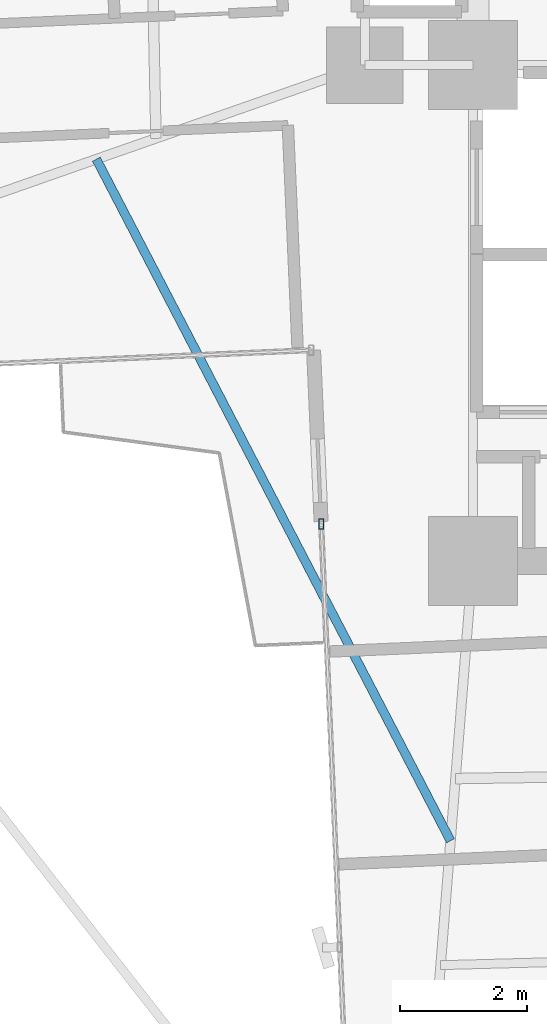
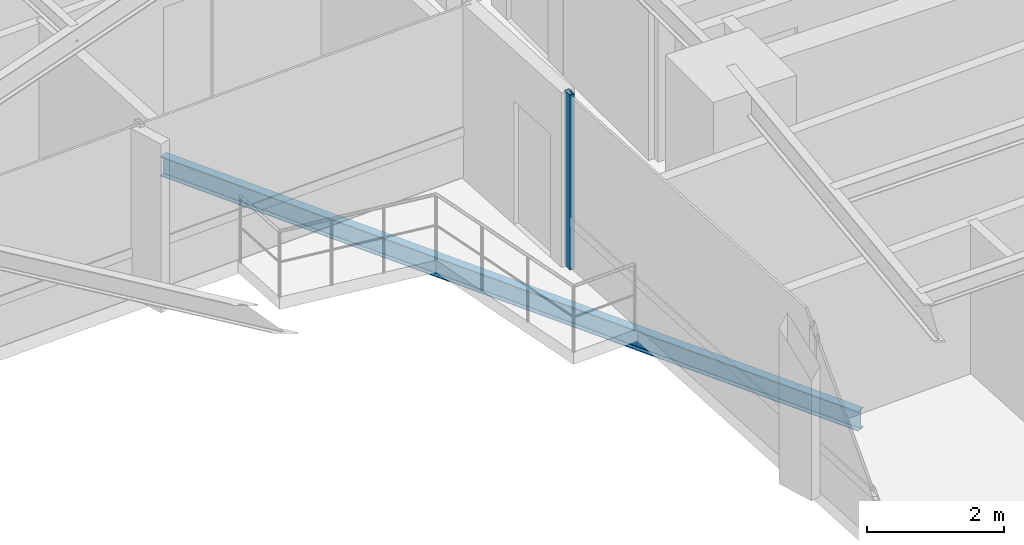
# One storey, part 5 of 26: 1 beam, 1 member, 1 element without a shape of its own.
"""IFC4 building model written with IfcOpenShell, lengths in metres."""

from ifc_helpers import new_model, si_unit, direction, frame, origin, origin_2d, place, context, subcontext, project, spatial, hollow_rectangle, i_section, extrude, source, transform, mapped, material, material_profile, profile_set, type_object, element, aggregate, save


model = new_model("IFC4")

# Units and contexts
model_context = context("Model", 3, precision=1e-05, world=origin(), true_north=direction((0.0, 1.0)))
body_context = subcontext(model_context, "Body", "Model", "MODEL_VIEW")
ifc_project = project(units=[si_unit("LENGTHUNIT", "METRE"), si_unit("AREAUNIT", "SQUARE_METRE"), si_unit("VOLUMEUNIT", "CUBIC_METRE"), si_unit("PLANEANGLEUNIT", "RADIAN"), si_unit("MASSUNIT", "GRAM", prefix="KILO")], contexts=[model_context])

# Site, building, storey
site_placement = place(None, origin())
site = spatial("IfcSite", under=ifc_project, at=site_placement, CompositionType="ELEMENT")
building_placement = place(site_placement, origin())
building = spatial("IfcBuilding", under=site, at=building_placement, Name="Sahyath Konkavel Grand Hotel", CompositionType="ELEMENT")
storey_placement = place(building_placement, frame((0.0, 0.0, 124.85009765625)))
storey = spatial("IfcBuildingStorey", under=building, at=storey_placement, Name="L34", CompositionType="ELEMENT", Elevation=124.85009765625)

# Curtain wall, member
ifc_material_1 = material(Name="Anodised Bronze Aluminium & Low-E Glazing", Category="aluminium")
curtain_wall_type = type_object("IfcCurtainWallType", Name="CW-ZONE2", PredefinedType="NOTDEFINED", material=ifc_material_1)
curtain_wall_placement = place(storey_placement, origin())
curtain_wall = element("IfcCurtainWall", 1, at=curtain_wall_placement, inside=storey, type_object=curtain_wall_type, Name="L34 Unitised Curtain Wall F24", PredefinedType="NOTDEFINED")
ifc_material_2 = material(Name="Anodised Bronze Aluminium", Category="aluminium")
ifc_material_profile_1 = material_profile(ifc_material_2, hollow_rectangle(XDim=0.080078125, YDim=0.159912109375, WallThickness=0.006103515625, at=origin_2d()), Name="RHS 160x80x6")
ifc_profile_set_1 = profile_set([ifc_material_profile_1], Name="Anodised Bronze Aluminium")
member_type = type_object("IfcMemberType", Name="CW-MUL-160", PredefinedType="MULLION", material=ifc_profile_set_1)
shared_shape_1 = source(origin(), body_context, "Body", "SweptSolid", [
    extrude(hollow_rectangle(XDim=0.080078125, YDim=0.159912109375, WallThickness=0.006103515625, at=origin_2d()), origin(), (0.0, 0.0, 1.0), 3.10986328125),
])
member_placement = place(storey_placement, frame((-6.186279296875, -9.618896484375, 0.0), z_axis=(0.0, 0.0, 1.0), x_axis=(1.0, 0.0, 0.0)))
member = element("IfcMember", 2, at=member_placement, type_object=member_type, Name="L34 Curtain Wall Mullion F24-0", PredefinedType="MULLION", context=body_context, shape_type="MappedRepresentation", body=[
    mapped(shared_shape_1, transform((0.0, 0.0, 0.0), scale=1.0)),
])
aggregate(curtain_wall, [member])

# Beam
ifc_material_3 = material(Name="Steel E350", Category="steel")
ifc_material_profile_2 = material_profile(ifc_material_3, i_section(OverallWidth=0.139892578125, OverallDepth=0.35009765625, WebThickness=0.008056640625, FlangeThickness=0.01416015625, FilletRadius=0.013916015625, at=origin_2d()), Name="ISMB 350")
ifc_profile_set_2 = profile_set([ifc_material_profile_2], Name="Steel E350")
beam_type = type_object("IfcBeamType", Name="BM-BALC-CANT", PredefinedType="BEAM", material=ifc_profile_set_2)
shared_shape_2 = source(origin(), body_context, "Body", "SweptSolid", [
    extrude(i_section(OverallWidth=0.139892578125, OverallDepth=0.35009765625, WebThickness=0.008056640625, FlangeThickness=0.01416015625, FilletRadius=0.013916015625, at=origin_2d()), origin(), (0.0, 0.0, 1.0), 12.085205078125),
])
beam_placement = place(storey_placement, frame((-9.7236328125, -3.87890625, -0.4150390625), z_axis=(0.461082384626, -0.887357331962, 0.0), x_axis=(0.887357331962, 0.461082384626, 0.0)))
element("IfcBeam", 3, at=beam_placement, inside=storey, type_object=beam_type, Name="L34 Balcony Cantilever Support Beam SW", PredefinedType="BEAM", context=body_context, shape_type="MappedRepresentation", body=[
    mapped(shared_shape_2, transform((0.0, 0.0, 0.0), scale=1.0)),
])

save(model, "model.ifc")
